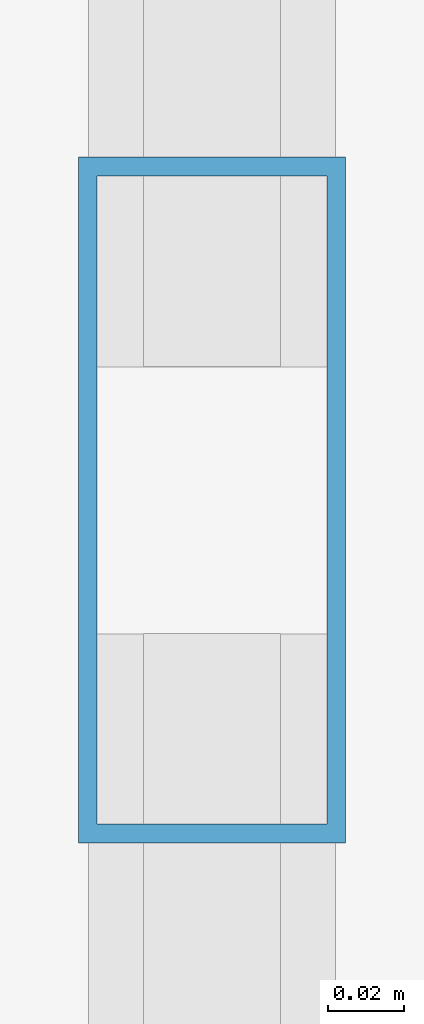
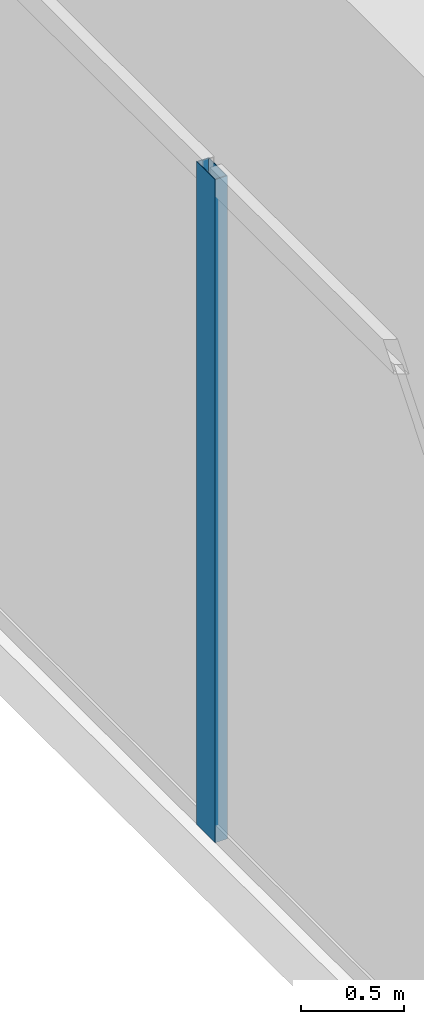
# One storey, part 10 of 34: 1 member, 1 element without a shape of its own.
"""IFC4 building model written with IfcOpenShell, lengths in metres."""

from ifc_helpers import new_model, si_unit, direction, frame, origin, origin_2d, place, context, subcontext, project, spatial, hollow_rectangle, extrude, source, transform, mapped, material, layer, layer_set, material_profile, profile_set, type_object, type_shapes, element, aggregate, save


model = new_model("IFC4")

# Units and contexts
model_context = context("Model", 3, precision=1e-05, world=origin(), true_north=direction((0.0, 1.0)))
body_context = subcontext(model_context, "Body", "Model", "MODEL_VIEW")
ifc_project = project(units=[si_unit("LENGTHUNIT", "METRE"), si_unit("AREAUNIT", "SQUARE_METRE"), si_unit("VOLUMEUNIT", "CUBIC_METRE"), si_unit("PLANEANGLEUNIT", "RADIAN"), si_unit("MASSUNIT", "GRAM", prefix="KILO")], contexts=[model_context])

# Site, building, storey
site_placement = place(None, origin())
site = spatial("IfcSite", under=ifc_project, at=site_placement, CompositionType="ELEMENT")
building_placement = place(site_placement, origin())
building = spatial("IfcBuilding", under=site, at=building_placement, Name="Haelvirn Gate Laboratories", CompositionType="ELEMENT")
storey_placement = place(building_placement, frame((0.0, 0.0, 322.800048828125)))
storey = spatial("IfcBuildingStorey", under=building, at=storey_placement, Name="L77", CompositionType="ELEMENT", Elevation=322.800048828125)

# Curtain wall, member
ifc_material_1 = material(Name="Anodised bronze unitised aluminium & triple low-E glass", Category="aluminium")
ifc_layer = layer(ifc_material_1, 0.176025390625, Name="CW-SYS-4")
ifc_layer_set = layer_set([ifc_layer], Name="Anodised bronze unitised aluminium & triple low-E glass")
curtain_wall_type = type_object("IfcCurtainWallType", Name="CW-SYS-4", PredefinedType="NOTDEFINED", material=ifc_layer_set)
curtain_wall_placement = place(storey_placement, origin())
curtain_wall = element("IfcCurtainWall", 1, at=curtain_wall_placement, inside=storey, type_object=curtain_wall_type, Name="L77 Unitised Curtain Wall CW-L77-P0-E17", PredefinedType="NOTDEFINED")
ifc_material_2 = material(Name="Extruded aluminium 6063-T6 (anodised bronze)", Category="aluminium")
ifc_material_profile = material_profile(ifc_material_2, hollow_rectangle(XDim=0.070068359375, YDim=0.179931640625, WallThickness=0.0048828125, at=origin_2d()), Name="CWM-180x70x5")
ifc_profile_set = profile_set([ifc_material_profile], Name="Extruded aluminium 6063-T6 (anodised bronze)")
member_type = type_object("IfcMemberType", Name="CWM-T180", PredefinedType="MULLION", material=ifc_profile_set)
shared_shape = source(origin(), body_context, "Body", "SweptSolid", [
    extrude(hollow_rectangle(XDim=0.070068359375, YDim=0.179931640625, WallThickness=0.0048828125, at=origin_2d()), origin(), (0.0, 0.0, 1.0), 3.919921875),
])
type_shapes(member_type, [shared_shape])
member_placement = place(storey_placement, frame((5.89990234375, 24.300048828125, 0.0), z_axis=(0.0, 0.0, 1.0), x_axis=(1.0, 0.0, 0.0)))
member = element("IfcMember", 2, at=member_placement, type_object=member_type, Name="CW4 mullion 2", PredefinedType="MULLION", context=body_context, shape_type="MappedRepresentation", body=[
    mapped(shared_shape, transform((0.0, 0.0, 0.0), scale=1.0)),
])
aggregate(curtain_wall, [member])

save(model, "model.ifc")
